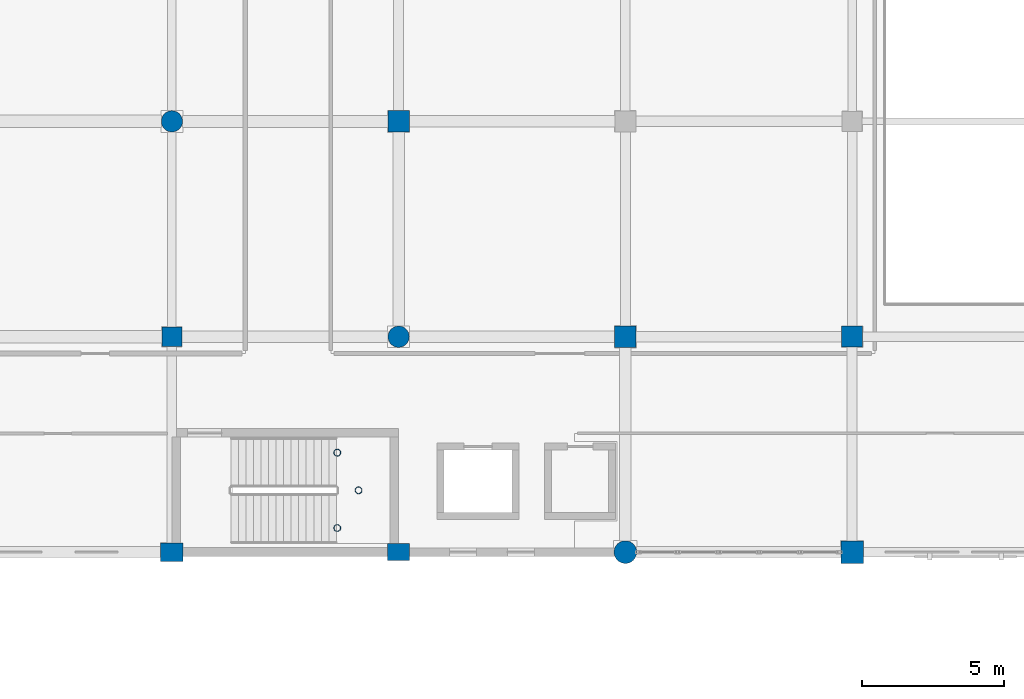
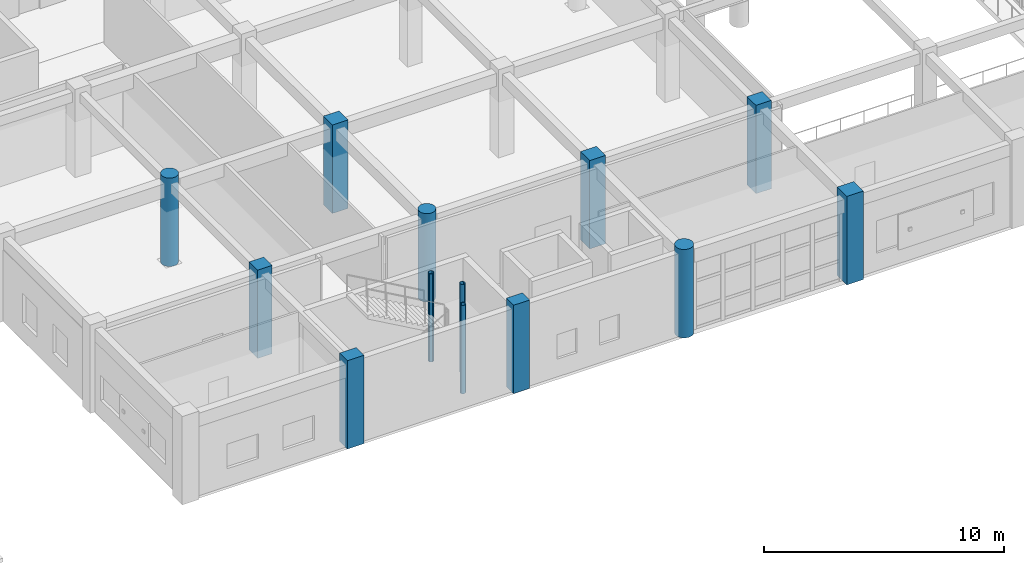
# One storey, part 39 of 166: 13 columns.
"""IFC4 building model written with IfcOpenShell, lengths in metres."""

from ifc_helpers import new_model, si_unit, direction, frame, origin, origin_2d, place, context, subcontext, project, spatial, rectangle, circle, hollow_circle, extrude, material, material_profile, profile_set, type_object, element, save


model = new_model("IFC4")

# Units and contexts
model_context = context("Model", 3, precision=1e-05, world=origin(), true_north=direction((0.0, 1.0)))
body_context = subcontext(model_context, "Body", "Model", "MODEL_VIEW")
ifc_project = project(units=[si_unit("LENGTHUNIT", "METRE"), si_unit("AREAUNIT", "SQUARE_METRE"), si_unit("VOLUMEUNIT", "CUBIC_METRE"), si_unit("PLANEANGLEUNIT", "RADIAN"), si_unit("MASSUNIT", "GRAM", prefix="KILO")], contexts=[model_context])

# Site, building, storey
site_placement = place(None, origin())
site = spatial("IfcSite", under=ifc_project, at=site_placement, CompositionType="ELEMENT")
building_placement = place(site_placement, origin())
building = spatial("IfcBuilding", under=site, at=building_placement, Name="Kharva Crest Polytechnic", CompositionType="ELEMENT")
storey_placement = place(building_placement, origin())
storey = spatial("IfcBuildingStorey", under=building, at=storey_placement, Name="L00", CompositionType="ELEMENT", Elevation=0.0)

# Columns
ifc_material_1 = material(Name="Concrete C40/50", Category="concrete")
ifc_material_profile_1 = material_profile(ifc_material_1, rectangle(XDim=0.780029296875, YDim=0.60009765625, at=origin_2d()), Name="RECT 780 X 600")
ifc_profile_set_1 = profile_set([ifc_material_profile_1], Name="Concrete C40/50")
column_type_1 = type_object("IfcColumnType", Name="COL-EXT-780X600", PredefinedType="COLUMN", material=ifc_profile_set_1)
column_1_placement = place(storey_placement, frame((136.800048828125, 0.0, 0.0), z_axis=(0.0, 0.0, 1.0), x_axis=(1.0, 0.0, 0.0)))
element("IfcColumn", 1, at=column_1_placement, inside=storey, type_object=column_type_1, Name="L00 Column 18/A", PredefinedType="COLUMN", context=body_context, shape_type="SweptSolid", body=[
    extrude(rectangle(XDim=0.780029296875, YDim=0.60009765625, at=origin_2d()), origin(), (0.0, 0.0, 1.0), 4.5),
])
ifc_material_profile_2 = material_profile(ifc_material_1, rectangle(XDim=0.800048828125, YDim=0.64990234375, at=origin_2d()), Name="RECT 800 X 650")
ifc_profile_set_2 = profile_set([ifc_material_profile_2], Name="Concrete C40/50")
column_type_2 = type_object("IfcColumnType", Name="COL-EXT-800X650", PredefinedType="COLUMN", material=ifc_profile_set_2)
column_2_placement = place(storey_placement, frame((128.800048828125, 0.0, 0.0), z_axis=(0.0, 0.0, 1.0), x_axis=(1.0, 0.0, 0.0)))
element("IfcColumn", 2, at=column_2_placement, inside=storey, type_object=column_type_2, Name="L00 Column 17/A", PredefinedType="COLUMN", context=body_context, shape_type="SweptSolid", body=[
    extrude(rectangle(XDim=0.800048828125, YDim=0.64990234375, at=origin_2d()), origin(), (0.0, 0.0, 1.0), 4.5),
])
ifc_material_profile_3 = material_profile(ifc_material_1, rectangle(XDim=0.800048828125, YDim=0.800048828125, at=origin_2d()), Name="RECT 800 X 800")
ifc_profile_set_3 = profile_set([ifc_material_profile_3], Name="Concrete C40/50")
column_type_3 = type_object("IfcColumnType", Name="COL-EXT-800X800", PredefinedType="COLUMN", material=ifc_profile_set_3)
column_3_placement = place(storey_placement, frame((152.800048828125, 0.0, 0.0), z_axis=(0.0, 0.0, 1.0), x_axis=(1.0, 0.0, 0.0)))
element("IfcColumn", 3, at=column_3_placement, inside=storey, type_object=column_type_3, Name="L00 Column 20/A", PredefinedType="COLUMN", context=body_context, shape_type="SweptSolid", body=[
    extrude(rectangle(XDim=0.800048828125, YDim=0.800048828125, at=origin_2d()), origin(), (0.0, 0.0, 1.0), 4.5),
])
ifc_material_profile_4 = material_profile(ifc_material_1, circle(Radius=0.39990234375, at=origin_2d()), Name="DIA 800")
ifc_profile_set_4 = profile_set([ifc_material_profile_4], Name="Concrete C40/50")
column_type_4 = type_object("IfcColumnType", Name="COL-EXT-DIA800", PredefinedType="COLUMN", material=ifc_profile_set_4)
column_4_placement = place(storey_placement, frame((144.800048828125, 0.0, 0.0), z_axis=(0.0, 0.0, 1.0), x_axis=(1.0, 0.0, 0.0)))
element("IfcColumn", 4, at=column_4_placement, inside=storey, type_object=column_type_4, Name="L00 Column 19/A", PredefinedType="COLUMN", context=body_context, shape_type="SweptSolid", body=[
    extrude(circle(Radius=0.39990234375, at=origin_2d()), origin(), (0.0, 0.0, 1.0), 4.5),
])
ifc_material_profile_5 = material_profile(ifc_material_1, rectangle(XDim=0.699951171875, YDim=0.699951171875, at=origin_2d()), Name="RECT 700 X 700")
ifc_profile_set_5 = profile_set([ifc_material_profile_5], Name="Concrete C40/50")
column_type_5 = type_object("IfcColumnType", Name="COL-INT-700X700", PredefinedType="COLUMN", material=ifc_profile_set_5)
column_5_placement = place(storey_placement, frame((128.800048828125, 7.60009765625, 0.0), z_axis=(0.0, 0.0, 1.0), x_axis=(1.0, 0.0, 0.0)))
element("IfcColumn", 5, at=column_5_placement, inside=storey, type_object=column_type_5, Name="L00 Column 17/B", PredefinedType="COLUMN", context=body_context, shape_type="SweptSolid", body=[
    extrude(rectangle(XDim=0.699951171875, YDim=0.699951171875, at=origin_2d()), origin(), (0.0, 0.0, 1.0), 4.5),
])
ifc_material_profile_6 = material_profile(ifc_material_1, rectangle(XDim=0.739990234375, YDim=0.739990234375, at=origin_2d()), Name="RECT 740 X 740")
ifc_profile_set_6 = profile_set([ifc_material_profile_6], Name="Concrete C40/50")
column_type_6 = type_object("IfcColumnType", Name="COL-INT-740X740", PredefinedType="COLUMN", material=ifc_profile_set_6)
column_6_placement = place(storey_placement, frame((152.800048828125, 7.60009765625, 0.0), z_axis=(0.0, 0.0, 1.0), x_axis=(1.0, 0.0, 0.0)))
element("IfcColumn", 6, at=column_6_placement, inside=storey, type_object=column_type_6, Name="L00 Column 20/B", PredefinedType="COLUMN", context=body_context, shape_type="SweptSolid", body=[
    extrude(rectangle(XDim=0.739990234375, YDim=0.739990234375, at=origin_2d()), origin(), (0.0, 0.0, 1.0), 4.5),
])
ifc_material_profile_7 = material_profile(ifc_material_1, rectangle(XDim=0.760009765625, YDim=0.760009765625, at=origin_2d()), Name="RECT 760 X 760")
ifc_profile_set_7 = profile_set([ifc_material_profile_7], Name="Concrete C40/50")
column_type_7 = type_object("IfcColumnType", Name="COL-INT-760X760", PredefinedType="COLUMN", material=ifc_profile_set_7)
for number, where, z_axis, x_axis, name in (
    (7, (136.800048828125, 15.199951171875, 0.0), (0.0, 0.0, 1.0), (1.0, 0.0, 0.0), "L00 Column 18/C"),
    (8, (144.800048828125, 7.60009765625, 0.0), (0.0, 0.0, 1.0), (1.0, 0.0, 0.0), "L00 Column 19/B"),
):
    element("IfcColumn", number, at=place(storey_placement, frame(where, z_axis=z_axis, x_axis=x_axis)), inside=storey, type_object=column_type_7, Name=name, PredefinedType="COLUMN", context=body_context, shape_type="SweptSolid", body=[
        extrude(rectangle(XDim=0.760009765625, YDim=0.760009765625, at=origin_2d()), origin(), (0.0, 0.0, 1.0), 4.5),
    ])
ifc_material_profile_8 = material_profile(ifc_material_1, circle(Radius=0.375, at=origin_2d()), Name="DIA 750")
ifc_profile_set_8 = profile_set([ifc_material_profile_8], Name="Concrete C40/50")
column_type_8 = type_object("IfcColumnType", Name="COL-INT-DIA750", PredefinedType="COLUMN", material=ifc_profile_set_8)
for number, where, z_axis, x_axis, name in (
    (9, (128.800048828125, 15.199951171875, 0.0), (0.0, 0.0, 1.0), (1.0, 0.0, 0.0), "L00 Column 17/C"),
    (10, (136.800048828125, 7.60009765625, 0.0), (0.0, 0.0, 1.0), (1.0, 0.0, 0.0), "L00 Column 18/B"),
):
    element("IfcColumn", number, at=place(storey_placement, frame(where, z_axis=z_axis, x_axis=x_axis)), inside=storey, type_object=column_type_8, Name=name, PredefinedType="COLUMN", context=body_context, shape_type="SweptSolid", body=[
        extrude(circle(Radius=0.375, at=origin_2d()), origin(), (0.0, 0.0, 1.0), 4.5),
    ])
ifc_material_2 = material(Name="Steel S355", Category="steel")
ifc_material_profile_9 = material_profile(ifc_material_2, hollow_circle(Radius=0.122314453125, WallThickness=0.010009765625, at=origin_2d()), Name="CHS 244.5X10.0")
ifc_profile_set_9 = profile_set([ifc_material_profile_9], Name="Steel S355")
column_type_9 = type_object("IfcColumnType", Name="COL-STL-CHS244", PredefinedType="COLUMN", material=ifc_profile_set_9)
for number, where, z_axis, x_axis, name in (
    (11, (134.635009765625, 0.85009765625, 0.0), (0.0, 0.0, 1.0), (1.0, 0.0, 0.0), "L00 Stair ST-06 Landing Support Column SW"),
    (12, (134.635009765625, 3.510009765625, 0.0), (0.0, 0.0, 1.0), (1.0, 0.0, 0.0), "L00 Stair ST-06 Landing Support Column NW"),
    (13, (135.385009765625, 2.179931640625, 0.0), (0.0, 0.0, 1.0), (1.0, 0.0, 0.0), "L00 Stair ST-06 Landing Support Column EM"),
):
    element("IfcColumn", number, at=place(storey_placement, frame(where, z_axis=z_axis, x_axis=x_axis)), inside=storey, type_object=column_type_9, Name=name, PredefinedType="COLUMN", context=body_context, shape_type="SweptSolid", body=[
        extrude(hollow_circle(Radius=0.122314453125, WallThickness=0.010009765625, at=origin_2d()), origin(), (0.0, 0.0, 1.0), 4.5),
    ])

save(model, "model.ifc")
